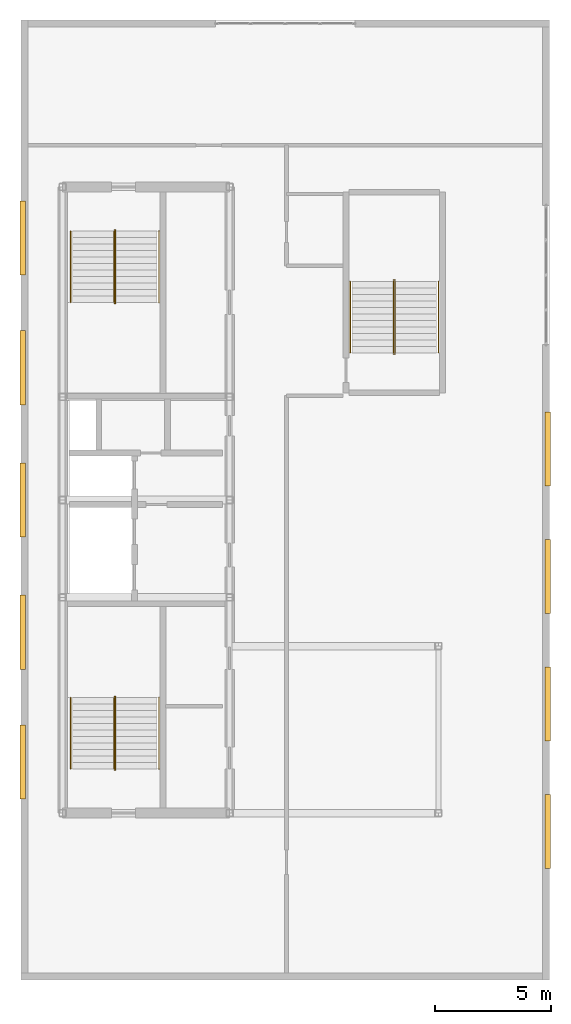
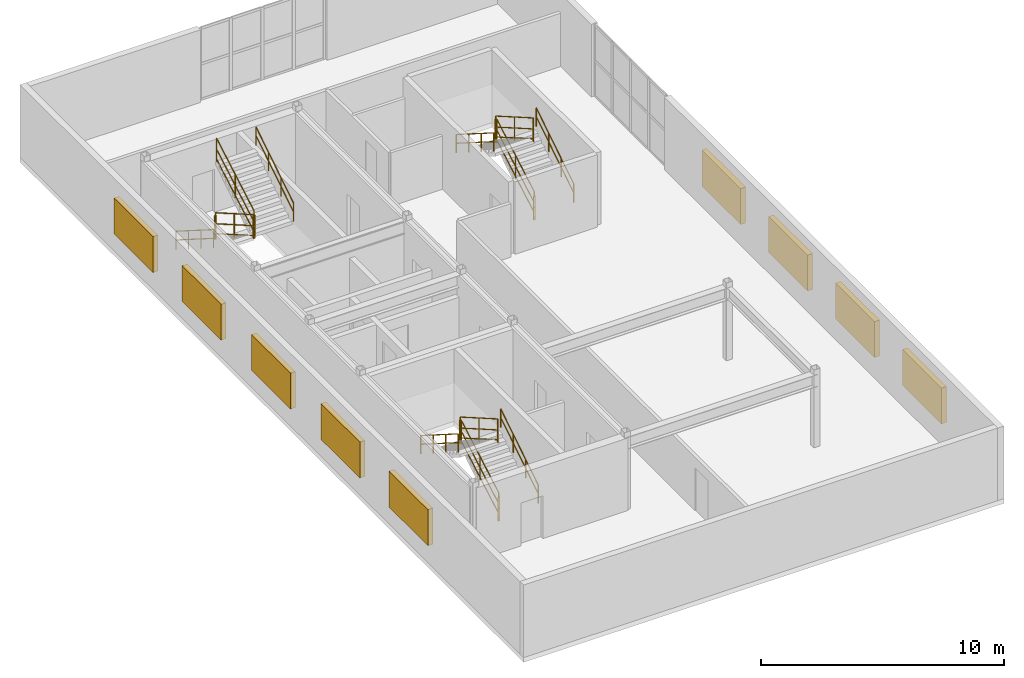
# One storey, part 7 of 7: 18 railings, 9 shading devices.
"""IFC4 building model written with IfcOpenShell, lengths in metres."""

from ifc_helpers import new_model, entity, si_unit, converted_unit, direction, frame, origin_with_axes, origin_2d_with_axis, place, context, subcontext, project, spatial, rectangle, circle, extrude, material, type_object, element, save


model = new_model("IFC4")

# Units and contexts
model_context = context("Model", 3, precision=1e-05, world=origin_with_axes(), true_north=direction((0.0, 1.0)))
body_context = subcontext(model_context, "Body", "Model", "MODEL_VIEW")
ifc_project = project(units=[si_unit("LENGTHUNIT", "METRE"), si_unit("AREAUNIT", "SQUARE_METRE"), si_unit("VOLUMEUNIT", "CUBIC_METRE"), converted_unit("PLANEANGLEUNIT", "DEGREE", entity("IfcPlaneAngleMeasure", 0.017453292519943295), si_unit("PLANEANGLEUNIT", "RADIAN"), dimensions=[0, 0, 0, 0, 0, 0, 0]), si_unit("MASSUNIT", "GRAM", prefix="KILO"), si_unit("THERMODYNAMICTEMPERATUREUNIT", "KELVIN")], contexts=[model_context])

# Site, building, storey
site_placement = place(None, origin_with_axes())
site = spatial("IfcSite", under=ifc_project, at=site_placement, CompositionType="ELEMENT")
building_placement = place(site_placement, origin_with_axes())
building = spatial("IfcBuilding", under=site, at=building_placement, Name="Varnlund Millrace Tower", CompositionType="ELEMENT")
storey_placement = place(building_placement, frame((0.0, 0.0, 316.5), z_axis=(0.0, 0.0, 1.0), x_axis=(1.0, 0.0, 0.0)))
storey = spatial("IfcBuildingStorey", under=building, at=storey_placement, Name="L78", CompositionType="ELEMENT", Elevation=316.5)

# Shading devices
ifc_material_1 = material(Name="Architectural bronze cold-climate intake louvre", Category="aluminium")
shading_device_type = type_object("IfcShadingDeviceType", Name="Type-Shade-CrownLouvre-JAL", PredefinedType="JALOUSIE", material=ifc_material_1)
for number, where, z_axis, x_axis, name in (
    (1, (9.68, 13.0, 0.9), (0.0, 0.0, 1.0), (0.0, 1.0, 0.0), "Type-Shade-CrownLouvre-JAL"),
    (2, (9.68, 18.6, 0.9), (0.0, 0.0, 1.0), (0.0, 1.0, 0.0), "Type-Shade-CrownLouvre-JAL"),
    (3, (9.68, 24.3, 0.9), (0.0, 0.0, 1.0), (0.0, 1.0, 0.0), "Type-Shade-CrownLouvre-JAL"),
    (4, (9.68, 30.0, 0.9), (0.0, 0.0, 1.0), (0.0, 1.0, 0.0), "Type-Shade-CrownLouvre-JAL"),
    (5, (9.68, 35.6, 0.9), (0.0, 0.0, 1.0), (0.0, 1.0, 0.0), "Type-Shade-CrownLouvre-JAL"),
    (6, (32.32, 10.0, 0.9), (0.0, 0.0, 1.0), (0.0, 1.0, 0.0), "Type-Shade-CrownLouvre-JAL"),
    (7, (32.32, 15.5, 0.9), (0.0, 0.0, 1.0), (0.0, 1.0, 0.0), "Type-Shade-CrownLouvre-JAL"),
    (8, (32.32, 21.0, 0.9), (0.0, 0.0, 1.0), (0.0, 1.0, 0.0), "Type-Shade-CrownLouvre-JAL"),
    (9, (32.32, 26.5, 0.9), (0.0, 0.0, 1.0), (0.0, 1.0, 0.0), "Type-Shade-CrownLouvre-JAL"),
):
    element("IfcShadingDevice", number, at=place(storey_placement, frame(where, z_axis=z_axis, x_axis=x_axis)), inside=storey, type_object=shading_device_type, Name=name, PredefinedType="JALOUSIE", context=body_context, shape_type="SweptSolid", body=[
        extrude(rectangle(XDim=3.2, YDim=0.24, at=origin_2d_with_axis()), origin_with_axes(), (0.0, 0.0, 1.0), 1.8),
    ])

# Railings
ifc_material_2 = material(Name="Painted steel stair well balustrade guard", Category="steel")
railing_type_1 = type_object("IfcRailingType", Name="Type-StairGuard-1150", PredefinedType="GUARDRAIL", material=ifc_material_2)
railing_1_placement = place(storey_placement, frame((0.0, 0.0, -316.5), z_axis=(0.0, 0.0, 1.0), x_axis=(1.0, 0.0, 0.0)))
element("IfcRailing", 10, at=railing_1_placement, inside=storey, type_object=railing_type_1, Name="Type-StairGuard-1150", PredefinedType="GUARDRAIL", context=body_context, shape_type="SweptSolid", body=[
    extrude(circle(Radius=0.024, at=origin_2d_with_axis()), frame((13.675, 12.7, 317.827273), z_axis=(0.0, 0.866696, 0.498836), x_axis=(-1.0, 0.0, 0.0)), (0.0, 0.0, 1.0), 3.553725),
    extrude(circle(Radius=0.024, at=origin_2d_with_axis()), frame((13.675, 12.7, 316.777273), z_axis=(0.0, 0.866696, 0.498836), x_axis=(-1.0, 0.0, 0.0)), (0.0, 0.0, 1.0), 3.553725),
    extrude(circle(Radius=0.024, at=origin_2d_with_axis()), frame((13.675, 12.7, 317.275273), z_axis=(0.0, 0.866696, 0.498836), x_axis=(-1.0, 0.0, 0.0)), (0.0, 0.0, 1.0), 3.553725),
    extrude(rectangle(XDim=0.04, YDim=0.04, at=origin_2d_with_axis()), frame((13.675, 12.7, 316.637273), z_axis=(0.0, 0.0, 1.0), x_axis=(1.0, 0.0, 0.0)), (0.0, 0.0, 1.0), 1.19),
    extrude(rectangle(XDim=0.04, YDim=0.04, at=origin_2d_with_axis()), frame((13.675, 14.24, 317.523636), z_axis=(0.0, 0.0, 1.0), x_axis=(1.0, 0.0, 0.0)), (0.0, 0.0, 1.0), 1.19),
    extrude(rectangle(XDim=0.04, YDim=0.04, at=origin_2d_with_axis()), frame((13.675, 15.78, 318.41), z_axis=(0.0, 0.0, 1.0), x_axis=(1.0, 0.0, 0.0)), (0.0, 0.0, 1.0), 1.19),
])
railing_2_placement = place(storey_placement, frame((0.0, 0.0, -316.5), z_axis=(0.0, 0.0, 1.0), x_axis=(1.0, 0.0, 0.0)))
element("IfcRailing", 11, at=railing_2_placement, inside=storey, type_object=railing_type_1, Name="Type-StairGuard-1150", PredefinedType="GUARDRAIL", context=body_context, shape_type="SweptSolid", body=[
    extrude(circle(Radius=0.024, at=origin_2d_with_axis()), frame((13.625, 15.83, 319.6), z_axis=(1.0, 0.0, 0.0), x_axis=(0.0, 1.0, 0.0)), (0.0, 0.0, 1.0), 0.05),
    extrude(circle(Radius=0.024, at=origin_2d_with_axis()), frame((13.625, 15.83, 318.55), z_axis=(1.0, 0.0, 0.0), x_axis=(0.0, 1.0, 0.0)), (0.0, 0.0, 1.0), 0.05),
    extrude(circle(Radius=0.024, at=origin_2d_with_axis()), frame((13.625, 15.83, 319.048), z_axis=(1.0, 0.0, 0.0), x_axis=(0.0, 1.0, 0.0)), (0.0, 0.0, 1.0), 0.05),
    extrude(rectangle(XDim=0.04, YDim=0.04, at=origin_2d_with_axis()), frame((13.625, 15.83, 318.41), z_axis=(0.0, 0.0, 1.0), x_axis=(1.0, 0.0, 0.0)), (0.0, 0.0, 1.0), 1.19),
    extrude(rectangle(XDim=0.04, YDim=0.04, at=origin_2d_with_axis()), frame((13.675, 15.83, 318.41), z_axis=(0.0, 0.0, 1.0), x_axis=(1.0, 0.0, 0.0)), (0.0, 0.0, 1.0), 1.19),
])
railing_3_placement = place(storey_placement, frame((0.0, 0.0, -316.5), z_axis=(0.0, 0.0, 1.0), x_axis=(1.0, 0.0, 0.0)))
element("IfcRailing", 12, at=railing_3_placement, inside=storey, type_object=railing_type_1, Name="Type-StairGuard-1150", PredefinedType="GUARDRAIL", context=body_context, shape_type="SweptSolid", body=[
    extrude(circle(Radius=0.024, at=origin_2d_with_axis()), frame((13.625, 15.78, 319.777273), z_axis=(0.0, -0.866696, 0.498836), x_axis=(1.0, 0.0, 0.0)), (0.0, 0.0, 1.0), 3.553725),
    extrude(circle(Radius=0.024, at=origin_2d_with_axis()), frame((13.625, 15.78, 318.727273), z_axis=(0.0, -0.866696, 0.498836), x_axis=(1.0, 0.0, 0.0)), (0.0, 0.0, 1.0), 3.553725),
    extrude(circle(Radius=0.024, at=origin_2d_with_axis()), frame((13.625, 15.78, 319.225273), z_axis=(0.0, -0.866696, 0.498836), x_axis=(1.0, 0.0, 0.0)), (0.0, 0.0, 1.0), 3.553725),
    extrude(rectangle(XDim=0.04, YDim=0.04, at=origin_2d_with_axis()), frame((13.625, 15.78, 318.587273), z_axis=(0.0, 0.0, 1.0), x_axis=(1.0, 0.0, 0.0)), (0.0, 0.0, 1.0), 1.19),
    extrude(rectangle(XDim=0.04, YDim=0.04, at=origin_2d_with_axis()), frame((13.625, 14.24, 319.473636), z_axis=(0.0, 0.0, 1.0), x_axis=(1.0, 0.0, 0.0)), (0.0, 0.0, 1.0), 1.19),
    extrude(rectangle(XDim=0.04, YDim=0.04, at=origin_2d_with_axis()), frame((13.625, 12.7, 320.36), z_axis=(0.0, 0.0, 1.0), x_axis=(1.0, 0.0, 0.0)), (0.0, 0.0, 1.0), 1.19),
])
railing_4_placement = place(storey_placement, frame((0.0, 0.0, -316.5), z_axis=(0.0, 0.0, 1.0), x_axis=(1.0, 0.0, 0.0)))
element("IfcRailing", 13, at=railing_4_placement, inside=storey, type_object=railing_type_1, Name="Type-StairGuard-1150", PredefinedType="GUARDRAIL", context=body_context, shape_type="SweptSolid", body=[
    extrude(circle(Radius=0.024, at=origin_2d_with_axis()), frame((13.625, 12.65, 317.65), z_axis=(1.0, 0.0, 0.0), x_axis=(0.0, 1.0, 0.0)), (0.0, 0.0, 1.0), 0.05),
    extrude(circle(Radius=0.024, at=origin_2d_with_axis()), frame((13.625, 12.65, 316.6), z_axis=(1.0, 0.0, 0.0), x_axis=(0.0, 1.0, 0.0)), (0.0, 0.0, 1.0), 0.05),
    extrude(circle(Radius=0.024, at=origin_2d_with_axis()), frame((13.625, 12.65, 317.098), z_axis=(1.0, 0.0, 0.0), x_axis=(0.0, 1.0, 0.0)), (0.0, 0.0, 1.0), 0.05),
    extrude(rectangle(XDim=0.04, YDim=0.04, at=origin_2d_with_axis()), frame((13.625, 12.65, 316.46), z_axis=(0.0, 0.0, 1.0), x_axis=(1.0, 0.0, 0.0)), (0.0, 0.0, 1.0), 1.19),
    extrude(rectangle(XDim=0.04, YDim=0.04, at=origin_2d_with_axis()), frame((13.675, 12.65, 316.46), z_axis=(0.0, 0.0, 1.0), x_axis=(1.0, 0.0, 0.0)), (0.0, 0.0, 1.0), 1.19),
])
railing_5_placement = place(storey_placement, frame((0.0, 0.0, -316.5), z_axis=(0.0, 0.0, 1.0), x_axis=(1.0, 0.0, 0.0)))
element("IfcRailing", 14, at=railing_5_placement, inside=storey, type_object=railing_type_1, Name="Type-StairGuard-1150", PredefinedType="GUARDRAIL", context=body_context, shape_type="SweptSolid", body=[
    extrude(circle(Radius=0.024, at=origin_2d_with_axis()), frame((13.625, 35.9, 317.827273), z_axis=(0.0, -0.866696, 0.498836), x_axis=(1.0, 0.0, 0.0)), (0.0, 0.0, 1.0), 3.553725),
    extrude(circle(Radius=0.024, at=origin_2d_with_axis()), frame((13.625, 35.9, 316.777273), z_axis=(0.0, -0.866696, 0.498836), x_axis=(1.0, 0.0, 0.0)), (0.0, 0.0, 1.0), 3.553725),
    extrude(circle(Radius=0.024, at=origin_2d_with_axis()), frame((13.625, 35.9, 317.275273), z_axis=(0.0, -0.866696, 0.498836), x_axis=(1.0, 0.0, 0.0)), (0.0, 0.0, 1.0), 3.553725),
    extrude(rectangle(XDim=0.04, YDim=0.04, at=origin_2d_with_axis()), frame((13.625, 35.9, 316.637273), z_axis=(0.0, 0.0, 1.0), x_axis=(1.0, 0.0, 0.0)), (0.0, 0.0, 1.0), 1.19),
    extrude(rectangle(XDim=0.04, YDim=0.04, at=origin_2d_with_axis()), frame((13.625, 34.36, 317.523636), z_axis=(0.0, 0.0, 1.0), x_axis=(1.0, 0.0, 0.0)), (0.0, 0.0, 1.0), 1.19),
    extrude(rectangle(XDim=0.04, YDim=0.04, at=origin_2d_with_axis()), frame((13.625, 32.82, 318.41), z_axis=(0.0, 0.0, 1.0), x_axis=(1.0, 0.0, 0.0)), (0.0, 0.0, 1.0), 1.19),
])
railing_6_placement = place(storey_placement, frame((0.0, 0.0, -316.5), z_axis=(0.0, 0.0, 1.0), x_axis=(1.0, 0.0, 0.0)))
element("IfcRailing", 15, at=railing_6_placement, inside=storey, type_object=railing_type_1, Name="Type-StairGuard-1150", PredefinedType="GUARDRAIL", context=body_context, shape_type="SweptSolid", body=[
    extrude(circle(Radius=0.024, at=origin_2d_with_axis()), frame((13.675, 32.77, 319.6), z_axis=(-1.0, 0.0, 0.0), x_axis=(0.0, -1.0, 0.0)), (0.0, 0.0, 1.0), 0.05),
    extrude(circle(Radius=0.024, at=origin_2d_with_axis()), frame((13.675, 32.77, 318.55), z_axis=(-1.0, 0.0, 0.0), x_axis=(0.0, -1.0, 0.0)), (0.0, 0.0, 1.0), 0.05),
    extrude(circle(Radius=0.024, at=origin_2d_with_axis()), frame((13.675, 32.77, 319.048), z_axis=(-1.0, 0.0, 0.0), x_axis=(0.0, -1.0, 0.0)), (0.0, 0.0, 1.0), 0.05),
    extrude(rectangle(XDim=0.04, YDim=0.04, at=origin_2d_with_axis()), frame((13.675, 32.77, 318.41), z_axis=(0.0, 0.0, 1.0), x_axis=(1.0, 0.0, 0.0)), (0.0, 0.0, 1.0), 1.19),
    extrude(rectangle(XDim=0.04, YDim=0.04, at=origin_2d_with_axis()), frame((13.625, 32.77, 318.41), z_axis=(0.0, 0.0, 1.0), x_axis=(1.0, 0.0, 0.0)), (0.0, 0.0, 1.0), 1.19),
])
railing_7_placement = place(storey_placement, frame((0.0, 0.0, -316.5), z_axis=(0.0, 0.0, 1.0), x_axis=(1.0, 0.0, 0.0)))
element("IfcRailing", 16, at=railing_7_placement, inside=storey, type_object=railing_type_1, Name="Type-StairGuard-1150", PredefinedType="GUARDRAIL", context=body_context, shape_type="SweptSolid", body=[
    extrude(circle(Radius=0.024, at=origin_2d_with_axis()), frame((13.675, 32.82, 319.777273), z_axis=(0.0, 0.866696, 0.498836), x_axis=(-1.0, 0.0, 0.0)), (0.0, 0.0, 1.0), 3.553725),
    extrude(circle(Radius=0.024, at=origin_2d_with_axis()), frame((13.675, 32.82, 318.727273), z_axis=(0.0, 0.866696, 0.498836), x_axis=(-1.0, 0.0, 0.0)), (0.0, 0.0, 1.0), 3.553725),
    extrude(circle(Radius=0.024, at=origin_2d_with_axis()), frame((13.675, 32.82, 319.225273), z_axis=(0.0, 0.866696, 0.498836), x_axis=(-1.0, 0.0, 0.0)), (0.0, 0.0, 1.0), 3.553725),
    extrude(rectangle(XDim=0.04, YDim=0.04, at=origin_2d_with_axis()), frame((13.675, 32.82, 318.587273), z_axis=(0.0, 0.0, 1.0), x_axis=(1.0, 0.0, 0.0)), (0.0, 0.0, 1.0), 1.19),
    extrude(rectangle(XDim=0.04, YDim=0.04, at=origin_2d_with_axis()), frame((13.675, 34.36, 319.473636), z_axis=(0.0, 0.0, 1.0), x_axis=(1.0, 0.0, 0.0)), (0.0, 0.0, 1.0), 1.19),
    extrude(rectangle(XDim=0.04, YDim=0.04, at=origin_2d_with_axis()), frame((13.675, 35.9, 320.36), z_axis=(0.0, 0.0, 1.0), x_axis=(1.0, 0.0, 0.0)), (0.0, 0.0, 1.0), 1.19),
])
railing_8_placement = place(storey_placement, frame((0.0, 0.0, -316.5), z_axis=(0.0, 0.0, 1.0), x_axis=(1.0, 0.0, 0.0)))
element("IfcRailing", 17, at=railing_8_placement, inside=storey, type_object=railing_type_1, Name="Type-StairGuard-1150", PredefinedType="GUARDRAIL", context=body_context, shape_type="SweptSolid", body=[
    extrude(circle(Radius=0.024, at=origin_2d_with_axis()), frame((13.675, 35.95, 317.65), z_axis=(-1.0, 0.0, 0.0), x_axis=(0.0, -1.0, 0.0)), (0.0, 0.0, 1.0), 0.05),
    extrude(circle(Radius=0.024, at=origin_2d_with_axis()), frame((13.675, 35.95, 316.6), z_axis=(-1.0, 0.0, 0.0), x_axis=(0.0, -1.0, 0.0)), (0.0, 0.0, 1.0), 0.05),
    extrude(circle(Radius=0.024, at=origin_2d_with_axis()), frame((13.675, 35.95, 317.098), z_axis=(-1.0, 0.0, 0.0), x_axis=(0.0, -1.0, 0.0)), (0.0, 0.0, 1.0), 0.05),
    extrude(rectangle(XDim=0.04, YDim=0.04, at=origin_2d_with_axis()), frame((13.675, 35.95, 316.46), z_axis=(0.0, 0.0, 1.0), x_axis=(1.0, 0.0, 0.0)), (0.0, 0.0, 1.0), 1.19),
    extrude(rectangle(XDim=0.04, YDim=0.04, at=origin_2d_with_axis()), frame((13.625, 35.95, 316.46), z_axis=(0.0, 0.0, 1.0), x_axis=(1.0, 0.0, 0.0)), (0.0, 0.0, 1.0), 1.19),
])
railing_9_placement = place(storey_placement, frame((0.0, 0.0, -316.5), z_axis=(0.0, 0.0, 1.0), x_axis=(1.0, 0.0, 0.0)))
element("IfcRailing", 18, at=railing_9_placement, inside=storey, type_object=railing_type_1, Name="Type-StairGuard-1150", PredefinedType="GUARDRAIL", context=body_context, shape_type="SweptSolid", body=[
    extrude(circle(Radius=0.024, at=origin_2d_with_axis()), frame((25.725, 30.65, 317.827273), z_axis=(0.0, 0.866696, 0.498836), x_axis=(-1.0, 0.0, 0.0)), (0.0, 0.0, 1.0), 3.553725),
    extrude(circle(Radius=0.024, at=origin_2d_with_axis()), frame((25.725, 30.65, 316.777273), z_axis=(0.0, 0.866696, 0.498836), x_axis=(-1.0, 0.0, 0.0)), (0.0, 0.0, 1.0), 3.553725),
    extrude(circle(Radius=0.024, at=origin_2d_with_axis()), frame((25.725, 30.65, 317.275273), z_axis=(0.0, 0.866696, 0.498836), x_axis=(-1.0, 0.0, 0.0)), (0.0, 0.0, 1.0), 3.553725),
    extrude(rectangle(XDim=0.04, YDim=0.04, at=origin_2d_with_axis()), frame((25.725, 30.65, 316.637273), z_axis=(0.0, 0.0, 1.0), x_axis=(1.0, 0.0, 0.0)), (0.0, 0.0, 1.0), 1.19),
    extrude(rectangle(XDim=0.04, YDim=0.04, at=origin_2d_with_axis()), frame((25.725, 32.19, 317.523636), z_axis=(0.0, 0.0, 1.0), x_axis=(1.0, 0.0, 0.0)), (0.0, 0.0, 1.0), 1.19),
    extrude(rectangle(XDim=0.04, YDim=0.04, at=origin_2d_with_axis()), frame((25.725, 33.73, 318.41), z_axis=(0.0, 0.0, 1.0), x_axis=(1.0, 0.0, 0.0)), (0.0, 0.0, 1.0), 1.19),
])
railing_10_placement = place(storey_placement, frame((0.0, 0.0, -316.5), z_axis=(0.0, 0.0, 1.0), x_axis=(1.0, 0.0, 0.0)))
element("IfcRailing", 19, at=railing_10_placement, inside=storey, type_object=railing_type_1, Name="Type-StairGuard-1150", PredefinedType="GUARDRAIL", context=body_context, shape_type="SweptSolid", body=[
    extrude(circle(Radius=0.024, at=origin_2d_with_axis()), frame((25.675, 33.78, 319.6), z_axis=(1.0, 0.0, 0.0), x_axis=(0.0, 1.0, 0.0)), (0.0, 0.0, 1.0), 0.05),
    extrude(circle(Radius=0.024, at=origin_2d_with_axis()), frame((25.675, 33.78, 318.55), z_axis=(1.0, 0.0, 0.0), x_axis=(0.0, 1.0, 0.0)), (0.0, 0.0, 1.0), 0.05),
    extrude(circle(Radius=0.024, at=origin_2d_with_axis()), frame((25.675, 33.78, 319.048), z_axis=(1.0, 0.0, 0.0), x_axis=(0.0, 1.0, 0.0)), (0.0, 0.0, 1.0), 0.05),
    extrude(rectangle(XDim=0.04, YDim=0.04, at=origin_2d_with_axis()), frame((25.675, 33.78, 318.41), z_axis=(0.0, 0.0, 1.0), x_axis=(1.0, 0.0, 0.0)), (0.0, 0.0, 1.0), 1.19),
    extrude(rectangle(XDim=0.04, YDim=0.04, at=origin_2d_with_axis()), frame((25.725, 33.78, 318.41), z_axis=(0.0, 0.0, 1.0), x_axis=(1.0, 0.0, 0.0)), (0.0, 0.0, 1.0), 1.19),
])
railing_11_placement = place(storey_placement, frame((0.0, 0.0, -316.5), z_axis=(0.0, 0.0, 1.0), x_axis=(1.0, 0.0, 0.0)))
element("IfcRailing", 20, at=railing_11_placement, inside=storey, type_object=railing_type_1, Name="Type-StairGuard-1150", PredefinedType="GUARDRAIL", context=body_context, shape_type="SweptSolid", body=[
    extrude(circle(Radius=0.024, at=origin_2d_with_axis()), frame((25.675, 33.73, 319.777273), z_axis=(0.0, -0.866696, 0.498836), x_axis=(1.0, 0.0, 0.0)), (0.0, 0.0, 1.0), 3.553725),
    extrude(circle(Radius=0.024, at=origin_2d_with_axis()), frame((25.675, 33.73, 318.727273), z_axis=(0.0, -0.866696, 0.498836), x_axis=(1.0, 0.0, 0.0)), (0.0, 0.0, 1.0), 3.553725),
    extrude(circle(Radius=0.024, at=origin_2d_with_axis()), frame((25.675, 33.73, 319.225273), z_axis=(0.0, -0.866696, 0.498836), x_axis=(1.0, 0.0, 0.0)), (0.0, 0.0, 1.0), 3.553725),
    extrude(rectangle(XDim=0.04, YDim=0.04, at=origin_2d_with_axis()), frame((25.675, 33.73, 318.587273), z_axis=(0.0, 0.0, 1.0), x_axis=(1.0, 0.0, 0.0)), (0.0, 0.0, 1.0), 1.19),
    extrude(rectangle(XDim=0.04, YDim=0.04, at=origin_2d_with_axis()), frame((25.675, 32.19, 319.473636), z_axis=(0.0, 0.0, 1.0), x_axis=(1.0, 0.0, 0.0)), (0.0, 0.0, 1.0), 1.19),
    extrude(rectangle(XDim=0.04, YDim=0.04, at=origin_2d_with_axis()), frame((25.675, 30.65, 320.36), z_axis=(0.0, 0.0, 1.0), x_axis=(1.0, 0.0, 0.0)), (0.0, 0.0, 1.0), 1.19),
])
railing_12_placement = place(storey_placement, frame((0.0, 0.0, -316.5), z_axis=(0.0, 0.0, 1.0), x_axis=(1.0, 0.0, 0.0)))
element("IfcRailing", 21, at=railing_12_placement, inside=storey, type_object=railing_type_1, Name="Type-StairGuard-1150", PredefinedType="GUARDRAIL", context=body_context, shape_type="SweptSolid", body=[
    extrude(circle(Radius=0.024, at=origin_2d_with_axis()), frame((25.675, 30.6, 317.65), z_axis=(1.0, 0.0, 0.0), x_axis=(0.0, 1.0, 0.0)), (0.0, 0.0, 1.0), 0.05),
    extrude(circle(Radius=0.024, at=origin_2d_with_axis()), frame((25.675, 30.6, 316.6), z_axis=(1.0, 0.0, 0.0), x_axis=(0.0, 1.0, 0.0)), (0.0, 0.0, 1.0), 0.05),
    extrude(circle(Radius=0.024, at=origin_2d_with_axis()), frame((25.675, 30.6, 317.098), z_axis=(1.0, 0.0, 0.0), x_axis=(0.0, 1.0, 0.0)), (0.0, 0.0, 1.0), 0.05),
    extrude(rectangle(XDim=0.04, YDim=0.04, at=origin_2d_with_axis()), frame((25.675, 30.6, 316.46), z_axis=(0.0, 0.0, 1.0), x_axis=(1.0, 0.0, 0.0)), (0.0, 0.0, 1.0), 1.19),
    extrude(rectangle(XDim=0.04, YDim=0.04, at=origin_2d_with_axis()), frame((25.725, 30.6, 316.46), z_axis=(0.0, 0.0, 1.0), x_axis=(1.0, 0.0, 0.0)), (0.0, 0.0, 1.0), 1.19),
])
ifc_material_3 = material(Name="Brushed architectural bronze stair handrail", Category="aluminium")
railing_type_2 = type_object("IfcRailingType", Name="Type-StairHandrail-900", PredefinedType="HANDRAIL", material=ifc_material_3)
railing_13_placement = place(storey_placement, frame((0.0, 0.0, -316.5), z_axis=(0.0, 0.0, 1.0), x_axis=(1.0, 0.0, 0.0)))
element("IfcRailing", 22, at=railing_13_placement, inside=storey, type_object=railing_type_2, Name="Type-StairHandrail-900", PredefinedType="HANDRAIL", context=body_context, shape_type="SweptSolid", body=[
    extrude(circle(Radius=0.024, at=origin_2d_with_axis()), frame((15.55, 12.7, 317.556995), z_axis=(0.0, 0.844902, 0.534922), x_axis=(-1.0, 0.0, 0.0)), (0.0, 0.0, 1.0), 3.645394),
    extrude(circle(Radius=0.024, at=origin_2d_with_axis()), frame((15.55, 12.7, 317.117134), z_axis=(0.0, 0.844902, 0.534922), x_axis=(-1.0, 0.0, 0.0)), (0.0, 0.0, 1.0), 3.645394),
    extrude(rectangle(XDim=0.04, YDim=0.04, at=origin_2d_with_axis()), frame((15.55, 12.7, 316.637273), z_axis=(0.0, 0.0, 1.0), x_axis=(1.0, 0.0, 0.0)), (0.0, 0.0, 1.0), 0.919722),
    extrude(rectangle(XDim=0.04, YDim=0.04, at=origin_2d_with_axis()), frame((15.55, 13.726667, 317.287273), z_axis=(0.0, 0.0, 1.0), x_axis=(1.0, 0.0, 0.0)), (0.0, 0.0, 1.0), 0.919722),
    extrude(rectangle(XDim=0.04, YDim=0.04, at=origin_2d_with_axis()), frame((15.55, 14.753333, 317.937273), z_axis=(0.0, 0.0, 1.0), x_axis=(1.0, 0.0, 0.0)), (0.0, 0.0, 1.0), 0.919722),
    extrude(rectangle(XDim=0.04, YDim=0.04, at=origin_2d_with_axis()), frame((15.55, 15.78, 318.587273), z_axis=(0.0, 0.0, 1.0), x_axis=(1.0, 0.0, 0.0)), (0.0, 0.0, 1.0), 0.919722),
])
railing_14_placement = place(storey_placement, frame((0.0, 0.0, -316.5), z_axis=(0.0, 0.0, 1.0), x_axis=(1.0, 0.0, 0.0)))
element("IfcRailing", 23, at=railing_14_placement, inside=storey, type_object=railing_type_2, Name="Type-StairHandrail-900", PredefinedType="HANDRAIL", context=body_context, shape_type="SweptSolid", body=[
    extrude(circle(Radius=0.024, at=origin_2d_with_axis()), frame((11.75, 15.78, 319.506995), z_axis=(0.0, -0.844902, 0.534922), x_axis=(1.0, 0.0, 0.0)), (0.0, 0.0, 1.0), 3.645394),
    extrude(circle(Radius=0.024, at=origin_2d_with_axis()), frame((11.75, 15.78, 319.067134), z_axis=(0.0, -0.844902, 0.534922), x_axis=(1.0, 0.0, 0.0)), (0.0, 0.0, 1.0), 3.645394),
    extrude(rectangle(XDim=0.04, YDim=0.04, at=origin_2d_with_axis()), frame((11.75, 15.78, 318.587273), z_axis=(0.0, 0.0, 1.0), x_axis=(1.0, 0.0, 0.0)), (0.0, 0.0, 1.0), 0.919722),
    extrude(rectangle(XDim=0.04, YDim=0.04, at=origin_2d_with_axis()), frame((11.75, 14.753333, 319.237273), z_axis=(0.0, 0.0, 1.0), x_axis=(1.0, 0.0, 0.0)), (0.0, 0.0, 1.0), 0.919722),
    extrude(rectangle(XDim=0.04, YDim=0.04, at=origin_2d_with_axis()), frame((11.75, 13.726667, 319.887273), z_axis=(0.0, 0.0, 1.0), x_axis=(1.0, 0.0, 0.0)), (0.0, 0.0, 1.0), 0.919722),
    extrude(rectangle(XDim=0.04, YDim=0.04, at=origin_2d_with_axis()), frame((11.75, 12.7, 320.537273), z_axis=(0.0, 0.0, 1.0), x_axis=(1.0, 0.0, 0.0)), (0.0, 0.0, 1.0), 0.919722),
])
railing_15_placement = place(storey_placement, frame((0.0, 0.0, -316.5), z_axis=(0.0, 0.0, 1.0), x_axis=(1.0, 0.0, 0.0)))
element("IfcRailing", 24, at=railing_15_placement, inside=storey, type_object=railing_type_2, Name="Type-StairHandrail-900", PredefinedType="HANDRAIL", context=body_context, shape_type="SweptSolid", body=[
    extrude(circle(Radius=0.024, at=origin_2d_with_axis()), frame((11.75, 35.9, 317.556995), z_axis=(0.0, -0.844902, 0.534922), x_axis=(1.0, 0.0, 0.0)), (0.0, 0.0, 1.0), 3.645394),
    extrude(circle(Radius=0.024, at=origin_2d_with_axis()), frame((11.75, 35.9, 317.117134), z_axis=(0.0, -0.844902, 0.534922), x_axis=(1.0, 0.0, 0.0)), (0.0, 0.0, 1.0), 3.645394),
    extrude(rectangle(XDim=0.04, YDim=0.04, at=origin_2d_with_axis()), frame((11.75, 35.9, 316.637273), z_axis=(0.0, 0.0, 1.0), x_axis=(1.0, 0.0, 0.0)), (0.0, 0.0, 1.0), 0.919722),
    extrude(rectangle(XDim=0.04, YDim=0.04, at=origin_2d_with_axis()), frame((11.75, 34.873333, 317.287273), z_axis=(0.0, 0.0, 1.0), x_axis=(1.0, 0.0, 0.0)), (0.0, 0.0, 1.0), 0.919722),
    extrude(rectangle(XDim=0.04, YDim=0.04, at=origin_2d_with_axis()), frame((11.75, 33.846667, 317.937273), z_axis=(0.0, 0.0, 1.0), x_axis=(1.0, 0.0, 0.0)), (0.0, 0.0, 1.0), 0.919722),
    extrude(rectangle(XDim=0.04, YDim=0.04, at=origin_2d_with_axis()), frame((11.75, 32.82, 318.587273), z_axis=(0.0, 0.0, 1.0), x_axis=(1.0, 0.0, 0.0)), (0.0, 0.0, 1.0), 0.919722),
])
railing_16_placement = place(storey_placement, frame((0.0, 0.0, -316.5), z_axis=(0.0, 0.0, 1.0), x_axis=(1.0, 0.0, 0.0)))
element("IfcRailing", 25, at=railing_16_placement, inside=storey, type_object=railing_type_2, Name="Type-StairHandrail-900", PredefinedType="HANDRAIL", context=body_context, shape_type="SweptSolid", body=[
    extrude(circle(Radius=0.024, at=origin_2d_with_axis()), frame((15.55, 32.82, 319.506995), z_axis=(0.0, 0.844902, 0.534922), x_axis=(-1.0, 0.0, 0.0)), (0.0, 0.0, 1.0), 3.645394),
    extrude(circle(Radius=0.024, at=origin_2d_with_axis()), frame((15.55, 32.82, 319.067134), z_axis=(0.0, 0.844902, 0.534922), x_axis=(-1.0, 0.0, 0.0)), (0.0, 0.0, 1.0), 3.645394),
    extrude(rectangle(XDim=0.04, YDim=0.04, at=origin_2d_with_axis()), frame((15.55, 32.82, 318.587273), z_axis=(0.0, 0.0, 1.0), x_axis=(1.0, 0.0, 0.0)), (0.0, 0.0, 1.0), 0.919722),
    extrude(rectangle(XDim=0.04, YDim=0.04, at=origin_2d_with_axis()), frame((15.55, 33.846667, 319.237273), z_axis=(0.0, 0.0, 1.0), x_axis=(1.0, 0.0, 0.0)), (0.0, 0.0, 1.0), 0.919722),
    extrude(rectangle(XDim=0.04, YDim=0.04, at=origin_2d_with_axis()), frame((15.55, 34.873333, 319.887273), z_axis=(0.0, 0.0, 1.0), x_axis=(1.0, 0.0, 0.0)), (0.0, 0.0, 1.0), 0.919722),
    extrude(rectangle(XDim=0.04, YDim=0.04, at=origin_2d_with_axis()), frame((15.55, 35.9, 320.537273), z_axis=(0.0, 0.0, 1.0), x_axis=(1.0, 0.0, 0.0)), (0.0, 0.0, 1.0), 0.919722),
])
railing_17_placement = place(storey_placement, frame((0.0, 0.0, -316.5), z_axis=(0.0, 0.0, 1.0), x_axis=(1.0, 0.0, 0.0)))
element("IfcRailing", 26, at=railing_17_placement, inside=storey, type_object=railing_type_2, Name="Type-StairHandrail-900", PredefinedType="HANDRAIL", context=body_context, shape_type="SweptSolid", body=[
    extrude(circle(Radius=0.024, at=origin_2d_with_axis()), frame((27.6, 30.65, 317.556995), z_axis=(0.0, 0.844902, 0.534922), x_axis=(-1.0, 0.0, 0.0)), (0.0, 0.0, 1.0), 3.645394),
    extrude(circle(Radius=0.024, at=origin_2d_with_axis()), frame((27.6, 30.65, 317.117134), z_axis=(0.0, 0.844902, 0.534922), x_axis=(-1.0, 0.0, 0.0)), (0.0, 0.0, 1.0), 3.645394),
    extrude(rectangle(XDim=0.04, YDim=0.04, at=origin_2d_with_axis()), frame((27.6, 30.65, 316.637273), z_axis=(0.0, 0.0, 1.0), x_axis=(1.0, 0.0, 0.0)), (0.0, 0.0, 1.0), 0.919722),
    extrude(rectangle(XDim=0.04, YDim=0.04, at=origin_2d_with_axis()), frame((27.6, 31.676667, 317.287273), z_axis=(0.0, 0.0, 1.0), x_axis=(1.0, 0.0, 0.0)), (0.0, 0.0, 1.0), 0.919722),
    extrude(rectangle(XDim=0.04, YDim=0.04, at=origin_2d_with_axis()), frame((27.6, 32.703333, 317.937273), z_axis=(0.0, 0.0, 1.0), x_axis=(1.0, 0.0, 0.0)), (0.0, 0.0, 1.0), 0.919722),
    extrude(rectangle(XDim=0.04, YDim=0.04, at=origin_2d_with_axis()), frame((27.6, 33.73, 318.587273), z_axis=(0.0, 0.0, 1.0), x_axis=(1.0, 0.0, 0.0)), (0.0, 0.0, 1.0), 0.919722),
])
railing_18_placement = place(storey_placement, frame((0.0, 0.0, -316.5), z_axis=(0.0, 0.0, 1.0), x_axis=(1.0, 0.0, 0.0)))
element("IfcRailing", 27, at=railing_18_placement, inside=storey, type_object=railing_type_2, Name="Type-StairHandrail-900", PredefinedType="HANDRAIL", context=body_context, shape_type="SweptSolid", body=[
    extrude(circle(Radius=0.024, at=origin_2d_with_axis()), frame((23.8, 33.73, 319.506995), z_axis=(0.0, -0.844902, 0.534922), x_axis=(1.0, 0.0, 0.0)), (0.0, 0.0, 1.0), 3.645394),
    extrude(circle(Radius=0.024, at=origin_2d_with_axis()), frame((23.8, 33.73, 319.067134), z_axis=(0.0, -0.844902, 0.534922), x_axis=(1.0, 0.0, 0.0)), (0.0, 0.0, 1.0), 3.645394),
    extrude(rectangle(XDim=0.04, YDim=0.04, at=origin_2d_with_axis()), frame((23.8, 33.73, 318.587273), z_axis=(0.0, 0.0, 1.0), x_axis=(1.0, 0.0, 0.0)), (0.0, 0.0, 1.0), 0.919722),
    extrude(rectangle(XDim=0.04, YDim=0.04, at=origin_2d_with_axis()), frame((23.8, 32.703333, 319.237273), z_axis=(0.0, 0.0, 1.0), x_axis=(1.0, 0.0, 0.0)), (0.0, 0.0, 1.0), 0.919722),
    extrude(rectangle(XDim=0.04, YDim=0.04, at=origin_2d_with_axis()), frame((23.8, 31.676667, 319.887273), z_axis=(0.0, 0.0, 1.0), x_axis=(1.0, 0.0, 0.0)), (0.0, 0.0, 1.0), 0.919722),
    extrude(rectangle(XDim=0.04, YDim=0.04, at=origin_2d_with_axis()), frame((23.8, 30.65, 320.537273), z_axis=(0.0, 0.0, 1.0), x_axis=(1.0, 0.0, 0.0)), (0.0, 0.0, 1.0), 0.919722),
])

save(model, "model.ifc")
